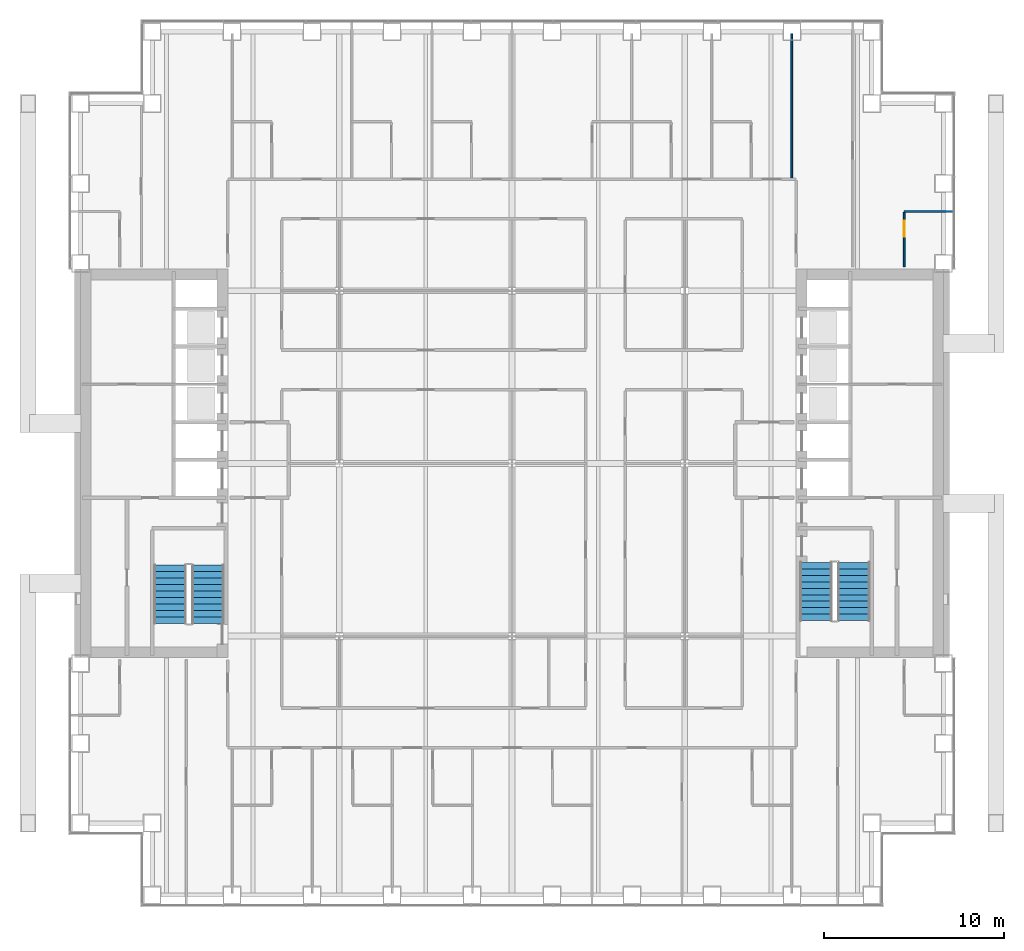
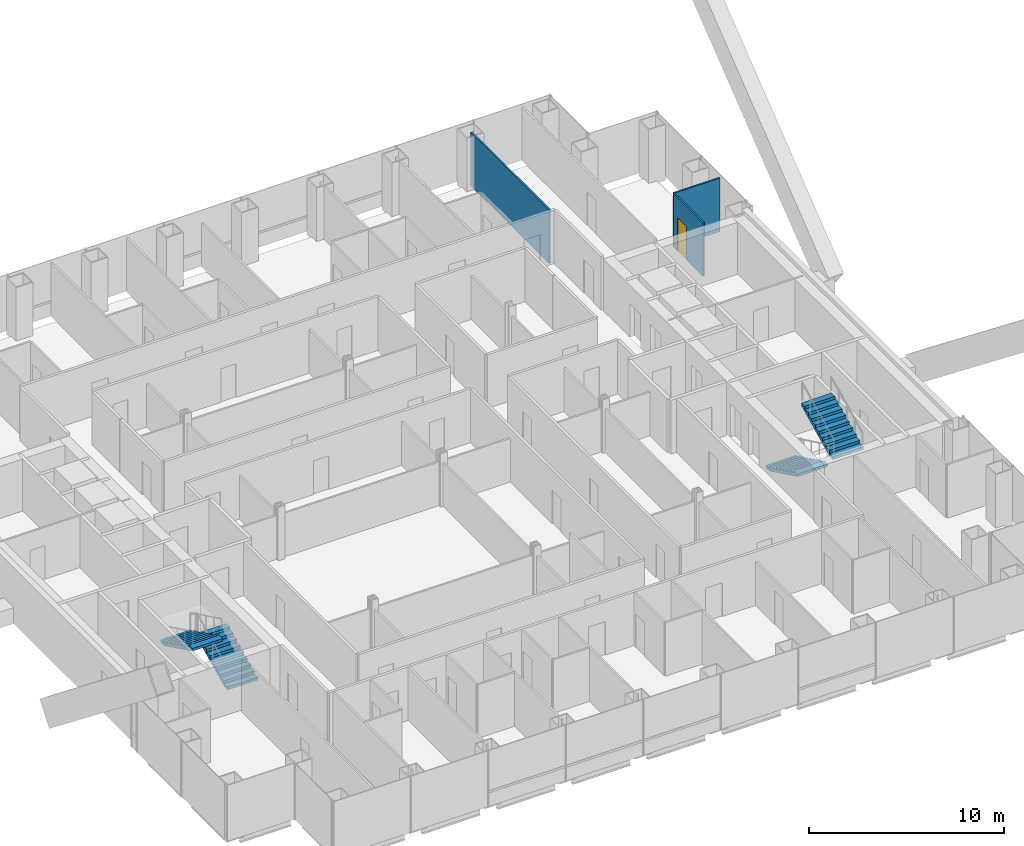
# One storey, part 21 of 23: 4 stair flights, 3 walls, 1 door, 1 opening, 2 elements without a shape of their own.
"""IFC4 building model written with IfcOpenShell, lengths in metres."""

from ifc_helpers import new_model, si_unit, direction, frame, frame_2d, origin, place, context, subcontext, project, spatial, polyline, rectangle, outline, extrude, material, layer, layer_set, type_object, element, fill, aggregate, save


model = new_model("IFC4")

# Units and contexts
model_context = context("Model", 3, precision=1e-05, world=origin(), true_north=direction((0.0, 1.0)))
body_context = subcontext(model_context, "Body", "Model", "MODEL_VIEW")
ifc_project = project(units=[si_unit("LENGTHUNIT", "METRE"), si_unit("AREAUNIT", "SQUARE_METRE"), si_unit("VOLUMEUNIT", "CUBIC_METRE"), si_unit("PLANEANGLEUNIT", "RADIAN"), si_unit("MASSUNIT", "GRAM", prefix="KILO")], contexts=[model_context])

# Site, building, storey
site_placement = place(None, origin())
site = spatial("IfcSite", under=ifc_project, at=site_placement, CompositionType="ELEMENT")
building_placement = place(site_placement, origin())
building = spatial("IfcBuilding", under=site, at=building_placement, Name="Cobrizo Arcos Hotel Tower", CompositionType="ELEMENT")
storey_placement = place(building_placement, frame((0.0, 0.0, 56.5)))
storey = spatial("IfcBuildingStorey", under=building, at=storey_placement, Name="L12", CompositionType="ELEMENT", Elevation=56.5)

# Walls
ifc_material_1 = material(Name="Gypsum board partition")
ifc_layer = layer(ifc_material_1, 0.10009765625)
ifc_layer_set = layer_set([ifc_layer], Name="Partition EI 30 100")
wall_type = type_object("IfcWallType", Name="Partition EI 30 100", PredefinedType="PARTITIONING", material=ifc_layer_set)
wall_1_placement = place(storey_placement, frame((21.800048828125, 14.0, 0.0), z_axis=(0.0, 0.0, 1.0), x_axis=(1.0, 0.0, 0.0)))
element("IfcWall", 1, at=wall_1_placement, inside=storey, type_object=wall_type, Name="Partition 057", PredefinedType="PARTITIONING", context=body_context, shape_type="SweptSolid", body=[
    extrude(rectangle(XDim=2.72998046875, YDim=0.10009765625, at=frame_2d((1.364990234375, 0.0))), origin(), (0.0, 0.0, 1.0), 3.35009765625),
])
wall_2_placement = place(storey_placement, frame((15.550048828125, 15.875, 0.0), z_axis=(0.0, 0.0, 1.0), x_axis=(0.0, 1.0, 0.0)))
element("IfcWall", 2, at=wall_2_placement, inside=storey, type_object=wall_type, Name="Partition 129", PredefinedType="PARTITIONING", context=body_context, shape_type="SweptSolid", body=[
    extrude(rectangle(XDim=8.0048828125, YDim=0.10009765625, at=frame_2d((4.00244140625, 0.0))), origin(), (0.0, 0.0, 1.0), 3.35009765625),
])

# Wall, opening, door
wall_3_placement = place(storey_placement, frame((21.800048828125, 10.919921875, 0.0), z_axis=(0.0, 0.0, 1.0), x_axis=(0.0, 1.0, 0.0)))
wall_3 = element("IfcWall", 3, at=wall_3_placement, inside=storey, type_object=wall_type, Name="Partition 139", PredefinedType="PARTITIONING", context=body_context, shape_type="SweptSolid", body=[
    extrude(rectangle(XDim=3.030029296875, YDim=0.10009765625, at=frame_2d((1.51513671875, 0.0))), origin(), (0.0, 0.0, 1.0), 3.35009765625),
])
opening_placement = place(wall_3_placement, frame((1.669921875, 0.0, 0.0)))
opening = element("IfcOpeningElement", 4, at=opening_placement, cuts=wall_3, Name="Opening ED-15", PredefinedType="OPENING", context=body_context, shape_type="SweptSolid", body=[
    extrude(rectangle(XDim=0.89990234375, YDim=2.10009765625, at=frame_2d((0.449951171875, 1.050048828125))), frame((0.0, 0.06201171875, 0.0), z_axis=(0.0, -1.0, 0.0), x_axis=(1.0, 0.0, 0.0)), (0.0, 0.0, 1.0), 0.1240234375),
])
ifc_material_2 = material(Name="Timber door leaf", Category="wood")
door_type = type_object("IfcDoorType", Name="En-suite door 900x2100", OperationType="SINGLE_SWING_LEFT", PredefinedType="DOOR", material=ifc_material_2)
door_placement = place(opening_placement, origin())
door = element("IfcDoor", 5, at=door_placement, inside=storey, type_object=door_type, Name="Door ED-15", OperationType="SINGLE_SWING_LEFT", OverallHeight=2.10009765625, OverallWidth=0.89990234375, PredefinedType="DOOR", context=body_context, shape_type="SweptSolid", body=[
    extrude(rectangle(XDim=0.89990234375, YDim=2.10009765625, at=frame_2d((0.449951171875, 1.050048828125))), frame((0.0, 0.02490234375, 0.0), z_axis=(0.0, -1.0, 0.0), x_axis=(1.0, 0.0, 0.0)), (0.0, 0.0, 1.0), 0.050048828125),
])
fill(opening, door)

# Stair, stair flights
ifc_material_3 = material(Name="Concrete f'c 40 MPa", Category="concrete")
stair_type = type_object("IfcStairType", Name="Exit stair", PredefinedType="HALF_TURN_STAIR", material=ifc_material_3)
stair_1_placement = place(storey_placement, origin())
stair_1 = element("IfcStair", 6, at=stair_1_placement, inside=storey, type_object=stair_type, Name="L12 Exit stair ST-W", PredefinedType="HALF_TURN_STAIR")
stair_flight_type = type_object("IfcStairFlightType", Name="Exit stair flight", PredefinedType="STRAIGHT", material=ifc_material_3)
stair_flight_1_placement = place(storey_placement, frame((-16.89990234375, -8.89990234375, 0.0), z_axis=(0.0, 0.0, 1.0), x_axis=(0.0, 1.0, 0.0)))
stair_flight_1 = element("IfcStairFlight", 7, at=stair_flight_1_placement, type_object=stair_flight_type, Name="ST-W flight 1", NumberOfRisers=10, NumberOfTreads=9, PredefinedType="STRAIGHT", RiserHeight=0.175, TreadLength=0.36, context=body_context, shape_type="SweptSolid", body=[
    extrude(outline(polyline([(0.0, 0.0), (0.0, 0.175048828125), (0.360107421875, 0.175048828125), (0.360107421875, 0.35009765625), (0.719970703125, 0.35009765625), (0.719970703125, 0.52490234375), (1.080078125, 0.52490234375), (1.080078125, 0.699951171875), (1.43994140625, 0.699951171875), (1.43994140625, 0.875), (1.800048828125, 0.875), (1.800048828125, 1.050048828125), (2.159912109375, 1.050048828125), (2.159912109375, 1.22509765625), (2.52001953125, 1.22509765625), (2.52001953125, 1.39990234375), (2.8798828125, 1.39990234375), (2.8798828125, 1.574951171875), (3.239990234375, 1.574951171875), (3.239990234375, 1.75), (3.239990234375, 1.408203125), (0.3427734375, 0.0), (0.0, 0.0)])), frame((0.0, 0.89990234375, 0.0), z_axis=(0.0, -1.0, 0.0), x_axis=(1.0, 0.0, 0.0)), (0.0, 0.0, 1.0), 1.800048828125),
])
stair_flight_2_placement = place(storey_placement, frame((-19.0, -5.659912109375, 1.75), z_axis=(0.0, 0.0, 1.0), x_axis=(0.0, -1.0, 0.0)))
stair_flight_2 = element("IfcStairFlight", 8, at=stair_flight_2_placement, type_object=stair_flight_type, Name="ST-W flight 2", NumberOfRisers=10, NumberOfTreads=9, PredefinedType="STRAIGHT", RiserHeight=0.175, TreadLength=0.36, context=body_context, shape_type="SweptSolid", body=[
    extrude(outline(polyline([(0.0, 0.0), (0.0, 0.175048828125), (0.360107421875, 0.175048828125), (0.360107421875, 0.35009765625), (0.719970703125, 0.35009765625), (0.719970703125, 0.52490234375), (1.080078125, 0.52490234375), (1.080078125, 0.699951171875), (1.43994140625, 0.699951171875), (1.43994140625, 0.875), (1.800048828125, 0.875), (1.800048828125, 1.050048828125), (2.159912109375, 1.050048828125), (2.159912109375, 1.22509765625), (2.52001953125, 1.22509765625), (2.52001953125, 1.39990234375), (2.8798828125, 1.39990234375), (2.8798828125, 1.574951171875), (3.239990234375, 1.574951171875), (3.239990234375, 1.75), (3.239990234375, 1.408203125), (0.3427734375, 0.0), (0.0, 0.0)])), frame((0.0, 0.89990234375, 0.0), z_axis=(0.0, -1.0, 0.0), x_axis=(1.0, 0.0, 0.0)), (0.0, 0.0, 1.0), 1.800048828125),
])
aggregate(stair_1, [stair_flight_1, stair_flight_2])

stair_2_placement = place(storey_placement, origin())
stair_2 = element("IfcStair", 9, at=stair_2_placement, inside=storey, type_object=stair_type, Name="L12 Exit stair ST-E", PredefinedType="HALF_TURN_STAIR")
stair_flight_3_placement = place(storey_placement, frame((16.89990234375, -5.5, 0.0), z_axis=(0.0, 0.0, 1.0), x_axis=(0.0, -1.0, 0.0)))
stair_flight_3 = element("IfcStairFlight", 10, at=stair_flight_3_placement, type_object=stair_flight_type, Name="ST-E flight 1", NumberOfRisers=10, NumberOfTreads=9, PredefinedType="STRAIGHT", RiserHeight=0.175, TreadLength=0.36, context=body_context, shape_type="SweptSolid", body=[
    extrude(outline(polyline([(0.0, 0.0), (0.0, 0.175048828125), (0.360107421875, 0.175048828125), (0.360107421875, 0.35009765625), (0.719970703125, 0.35009765625), (0.719970703125, 0.52490234375), (1.080078125, 0.52490234375), (1.080078125, 0.699951171875), (1.43994140625, 0.699951171875), (1.43994140625, 0.875), (1.800048828125, 0.875), (1.800048828125, 1.050048828125), (2.159912109375, 1.050048828125), (2.159912109375, 1.22509765625), (2.52001953125, 1.22509765625), (2.52001953125, 1.39990234375), (2.8798828125, 1.39990234375), (2.8798828125, 1.574951171875), (3.239990234375, 1.574951171875), (3.239990234375, 1.75), (3.239990234375, 1.408203125), (0.3427734375, 0.0), (0.0, 0.0)])), frame((0.0, 0.89990234375, 0.0), z_axis=(0.0, -1.0, 0.0), x_axis=(1.0, 0.0, 0.0)), (0.0, 0.0, 1.0), 1.800048828125),
])
stair_flight_4_placement = place(storey_placement, frame((19.0, -8.739990234375, 1.75), z_axis=(0.0, 0.0, 1.0), x_axis=(0.0, 1.0, 0.0)))
stair_flight_4 = element("IfcStairFlight", 11, at=stair_flight_4_placement, type_object=stair_flight_type, Name="ST-E flight 2", NumberOfRisers=10, NumberOfTreads=9, PredefinedType="STRAIGHT", RiserHeight=0.175, TreadLength=0.36, context=body_context, shape_type="SweptSolid", body=[
    extrude(outline(polyline([(0.0, 0.0), (0.0, 0.175048828125), (0.360107421875, 0.175048828125), (0.360107421875, 0.35009765625), (0.719970703125, 0.35009765625), (0.719970703125, 0.52490234375), (1.080078125, 0.52490234375), (1.080078125, 0.699951171875), (1.43994140625, 0.699951171875), (1.43994140625, 0.875), (1.800048828125, 0.875), (1.800048828125, 1.050048828125), (2.159912109375, 1.050048828125), (2.159912109375, 1.22509765625), (2.52001953125, 1.22509765625), (2.52001953125, 1.39990234375), (2.8798828125, 1.39990234375), (2.8798828125, 1.574951171875), (3.239990234375, 1.574951171875), (3.239990234375, 1.75), (3.239990234375, 1.408203125), (0.3427734375, 0.0), (0.0, 0.0)])), frame((0.0, 0.89990234375, 0.0), z_axis=(0.0, -1.0, 0.0), x_axis=(1.0, 0.0, 0.0)), (0.0, 0.0, 1.0), 1.800048828125),
])
aggregate(stair_2, [stair_flight_3, stair_flight_4])

save(model, "model.ifc")
